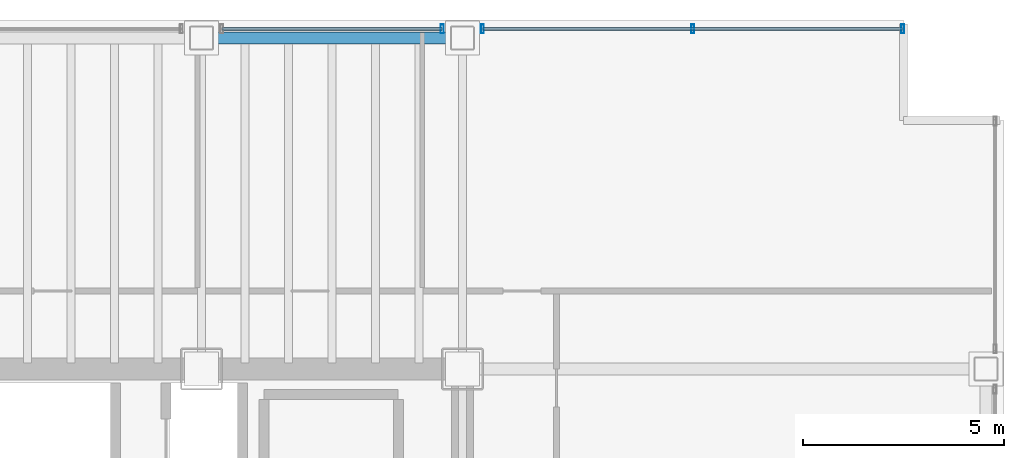
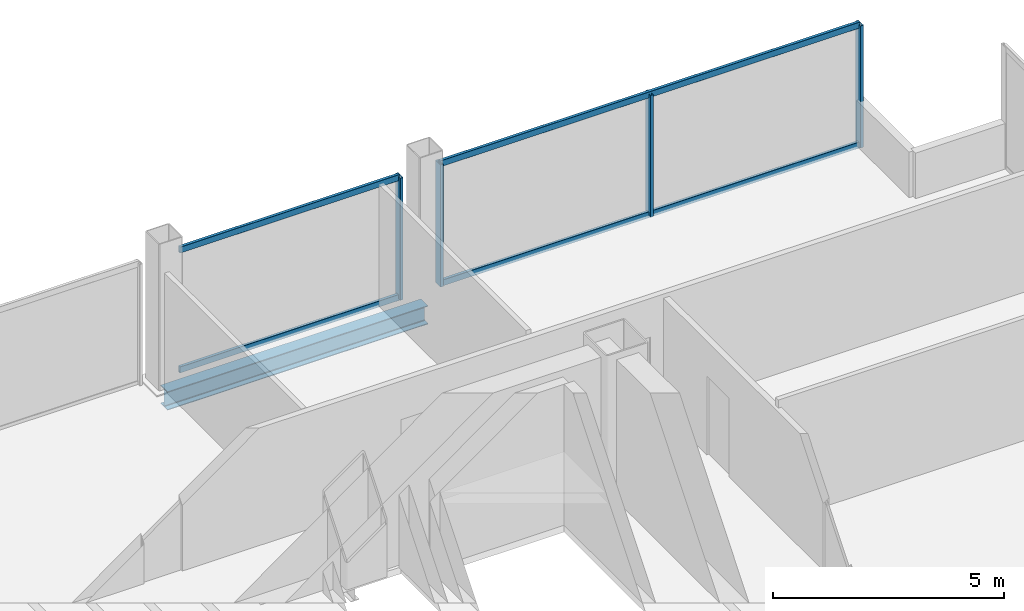
# One storey, part 15 of 20: 8 members, 1 beam, 2 elements without a shape of their own.
"""IFC4 building model written with IfcOpenShell, lengths in metres."""

from ifc_helpers import new_model, si_unit, direction, frame, origin, origin_2d, place, context, subcontext, project, spatial, hollow_rectangle, i_section, extrude, material, material_profile, profile_set, type_object, element, aggregate, save


model = new_model("IFC4")

# Units and contexts
model_context = context("Model", 3, precision=1e-05, world=origin(), true_north=direction((0.0, 1.0)))
body_context = subcontext(model_context, "Body", "Model", "MODEL_VIEW")
ifc_project = project(units=[si_unit("LENGTHUNIT", "METRE"), si_unit("AREAUNIT", "SQUARE_METRE"), si_unit("VOLUMEUNIT", "CUBIC_METRE"), si_unit("PLANEANGLEUNIT", "RADIAN"), si_unit("MASSUNIT", "GRAM", prefix="KILO")], contexts=[model_context])

# Site, building, storey
site_placement = place(None, origin())
site = spatial("IfcSite", under=ifc_project, at=site_placement, CompositionType="ELEMENT")
building_placement = place(site_placement, origin())
building = spatial("IfcBuilding", under=site, at=building_placement, Name="Noeulbin Bourse Tower", CompositionType="ELEMENT")
storey_placement = place(building_placement, frame((0.0, 0.0, 65.5)))
storey = spatial("IfcBuildingStorey", under=building, at=storey_placement, Name="L16", CompositionType="ELEMENT", Elevation=65.5)

# Beam
ifc_material_1 = material(Name="Steel S355", Category="steel")
ifc_material_profile_1 = material_profile(ifc_material_1, i_section(OverallWidth=0.300048828125, OverallDepth=0.488037109375, WebThickness=0.010986328125, FlangeThickness=0.01806640625, FilletRadius=0.02197265625, at=origin_2d()), Name="H-488x300x11x18", Category="LoadBearing")
ifc_profile_set_1 = profile_set([ifc_material_profile_1], Name="Steel S355")
beam_type = type_object("IfcBeamType", Name="BM-SPN-488", PredefinedType="SPANDREL", material=ifc_profile_set_1)
beam_placement = place(storey_placement, frame((37.5, 46.550048828125, -0.424072265625), z_axis=(1.0, 0.0, 0.0), x_axis=(0.0, 1.0, 0.0)))
element("IfcBeam", 1, at=beam_placement, inside=storey, type_object=beam_type, Name="North Spandrel L16-4", PredefinedType="SPANDREL", context=body_context, shape_type="SweptSolid", body=[
    extrude(i_section(OverallWidth=0.300048828125, OverallDepth=0.488037109375, WebThickness=0.010986328125, FlangeThickness=0.01806640625, FilletRadius=0.02197265625, at=origin_2d()), origin(), (0.0, 0.0, 1.0), 6.5),
])

# Curtain wall, member
ifc_material_2 = material(Name="Dark Solar-Control Double Glazing", Category="glass")
curtain_wall_type = type_object("IfcCurtainWallType", Name="CW-SYS-2", PredefinedType="NOTDEFINED", material=ifc_material_2)
curtain_wall_1_placement = place(storey_placement, origin())
curtain_wall_1 = element("IfcCurtainWall", 2, at=curtain_wall_1_placement, inside=storey, type_object=curtain_wall_type, Name="Unitised Curtain Wall CW-L16-N-S5", PredefinedType="NOTDEFINED")
ifc_material_3 = material(Name="Anodised Aluminium 6063-T6", Category="aluminium")
ifc_material_profile_2 = material_profile(ifc_material_3, hollow_rectangle(XDim=0.074951171875, YDim=0.219970703125, WallThickness=0.0048828125, InnerFilletRadius=0.00244140625, OuterFilletRadius=0.0048828125, at=origin_2d()), Name="ALU-MULL-75x220x5", Category="LoadBearing")
ifc_profile_set_2 = profile_set([ifc_material_profile_2], Name="Anodised Aluminium 6063-T6")
member_type_1 = type_object("IfcMemberType", Name="CW-SYS-2-MUL", PredefinedType="MULLION", material=ifc_profile_set_2)
member_1_placement = place(storey_placement, frame((43.5, 46.780029296875, -0.02001953125), z_axis=(0.0, 0.0, 1.0), x_axis=(1.0, 0.0, 0.0)))
member_1 = element("IfcMember", 3, at=member_1_placement, type_object=member_type_1, Name="Curtain Wall Mullion CW-L16-N-S5-M01", PredefinedType="MULLION", context=body_context, shape_type="SweptSolid", body=[
    extrude(hollow_rectangle(XDim=0.074951171875, YDim=0.219970703125, WallThickness=0.0048828125, InnerFilletRadius=0.00244140625, OuterFilletRadius=0.0048828125, at=origin_2d()), origin(), (0.0, 0.0, 1.0), 3.219970703125),
])

# Curtain wall, members
curtain_wall_2_placement = place(storey_placement, origin())
curtain_wall_2 = element("IfcCurtainWall", 4, at=curtain_wall_2_placement, inside=storey, type_object=curtain_wall_type, Name="Unitised Curtain Wall CW-L16-N-S6", PredefinedType="NOTDEFINED")
member_2_placement = place(storey_placement, frame((44.5, 46.780029296875, -0.02001953125), z_axis=(0.0, 0.0, 1.0), x_axis=(1.0, 0.0, 0.0)))
member_2 = element("IfcMember", 5, at=member_2_placement, type_object=member_type_1, Name="Curtain Wall Mullion CW-L16-N-S6-M00", PredefinedType="MULLION", context=body_context, shape_type="SweptSolid", body=[
    extrude(hollow_rectangle(XDim=0.074951171875, YDim=0.219970703125, WallThickness=0.0048828125, InnerFilletRadius=0.00244140625, OuterFilletRadius=0.0048828125, at=origin_2d()), origin(), (0.0, 0.0, 1.0), 3.219970703125),
])
member_3_placement = place(storey_placement, frame((49.739990234375, 46.780029296875, -0.02001953125), z_axis=(0.0, 0.0, 1.0), x_axis=(1.0, 0.0, 0.0)))
member_3 = element("IfcMember", 6, at=member_3_placement, type_object=member_type_1, Name="Curtain Wall Mullion CW-L16-N-S6-M01", PredefinedType="MULLION", context=body_context, shape_type="SweptSolid", body=[
    extrude(hollow_rectangle(XDim=0.074951171875, YDim=0.219970703125, WallThickness=0.0048828125, InnerFilletRadius=0.00244140625, OuterFilletRadius=0.0048828125, at=origin_2d()), origin(), (0.0, 0.0, 1.0), 3.219970703125),
])
member_4_placement = place(storey_placement, frame((54.97998046875, 46.780029296875, -0.02001953125), z_axis=(0.0, 0.0, 1.0), x_axis=(1.0, 0.0, 0.0)))
member_4 = element("IfcMember", 7, at=member_4_placement, type_object=member_type_1, Name="Curtain Wall Mullion CW-L16-N-S6-M02", PredefinedType="MULLION", context=body_context, shape_type="SweptSolid", body=[
    extrude(hollow_rectangle(XDim=0.074951171875, YDim=0.219970703125, WallThickness=0.0048828125, InnerFilletRadius=0.00244140625, OuterFilletRadius=0.0048828125, at=origin_2d()), origin(), (0.0, 0.0, 1.0), 3.219970703125),
])

# Member
ifc_material_profile_3 = material_profile(ifc_material_3, hollow_rectangle(XDim=0.074951171875, YDim=0.159912109375, WallThickness=0.0048828125, InnerFilletRadius=0.00244140625, OuterFilletRadius=0.0048828125, at=origin_2d()), Name="ALU-TRAN-75x160x5", Category="LoadBearing")
ifc_profile_set_3 = profile_set([ifc_material_profile_3], Name="Anodised Aluminium 6063-T6")
member_type_2 = type_object("IfcMemberType", Name="CW-SYS-2-TRN", PredefinedType="USERDEFINED", material=ifc_profile_set_3)
member_5_placement = place(storey_placement, frame((38.010009765625, 46.780029296875, 0.010009765625), z_axis=(1.0, 0.0, 0.0), x_axis=(0.0, 1.0, 0.0)))
member_5 = element("IfcMember", 8, at=member_5_placement, type_object=member_type_2, Name="Curtain Wall Transom CW-L16-N-S5-T00", ObjectType="TRANSOM", PredefinedType="USERDEFINED", context=body_context, shape_type="SweptSolid", body=[
    extrude(hollow_rectangle(XDim=0.074951171875, YDim=0.159912109375, WallThickness=0.0048828125, InnerFilletRadius=0.00244140625, OuterFilletRadius=0.0048828125, at=origin_2d()), origin(), (0.0, 0.0, 1.0), 5.47998046875),
])

member_6_placement = place(storey_placement, frame((38.010009765625, 46.780029296875, 3.169921875), z_axis=(1.0, 0.0, 0.0), x_axis=(0.0, 1.0, 0.0)))
member_6 = element("IfcMember", 9, at=member_6_placement, type_object=member_type_2, Name="Curtain Wall Transom CW-L16-N-S5-T01", ObjectType="TRANSOM", PredefinedType="USERDEFINED", context=body_context, shape_type="SweptSolid", body=[
    extrude(hollow_rectangle(XDim=0.074951171875, YDim=0.159912109375, WallThickness=0.0048828125, InnerFilletRadius=0.00244140625, OuterFilletRadius=0.0048828125, at=origin_2d()), origin(), (0.0, 0.0, 1.0), 5.47998046875),
])

aggregate(curtain_wall_1, [member_1, member_5, member_6])

member_7_placement = place(storey_placement, frame((44.510009765625, 46.780029296875, 0.010009765625), z_axis=(1.0, 0.0, 0.0), x_axis=(0.0, 1.0, 0.0)))
member_7 = element("IfcMember", 10, at=member_7_placement, type_object=member_type_2, Name="Curtain Wall Transom CW-L16-N-S6-T00", ObjectType="TRANSOM", PredefinedType="USERDEFINED", context=body_context, shape_type="SweptSolid", body=[
    extrude(hollow_rectangle(XDim=0.074951171875, YDim=0.159912109375, WallThickness=0.0048828125, InnerFilletRadius=0.00244140625, OuterFilletRadius=0.0048828125, at=origin_2d()), origin(), (0.0, 0.0, 1.0), 10.4599609375),
])

member_8_placement = place(storey_placement, frame((44.510009765625, 46.780029296875, 3.169921875), z_axis=(1.0, 0.0, 0.0), x_axis=(0.0, 1.0, 0.0)))
member_8 = element("IfcMember", 11, at=member_8_placement, type_object=member_type_2, Name="Curtain Wall Transom CW-L16-N-S6-T01", ObjectType="TRANSOM", PredefinedType="USERDEFINED", context=body_context, shape_type="SweptSolid", body=[
    extrude(hollow_rectangle(XDim=0.074951171875, YDim=0.159912109375, WallThickness=0.0048828125, InnerFilletRadius=0.00244140625, OuterFilletRadius=0.0048828125, at=origin_2d()), origin(), (0.0, 0.0, 1.0), 10.4599609375),
])

aggregate(curtain_wall_2, [member_2, member_3, member_4, member_7, member_8])

save(model, "model.ifc")
